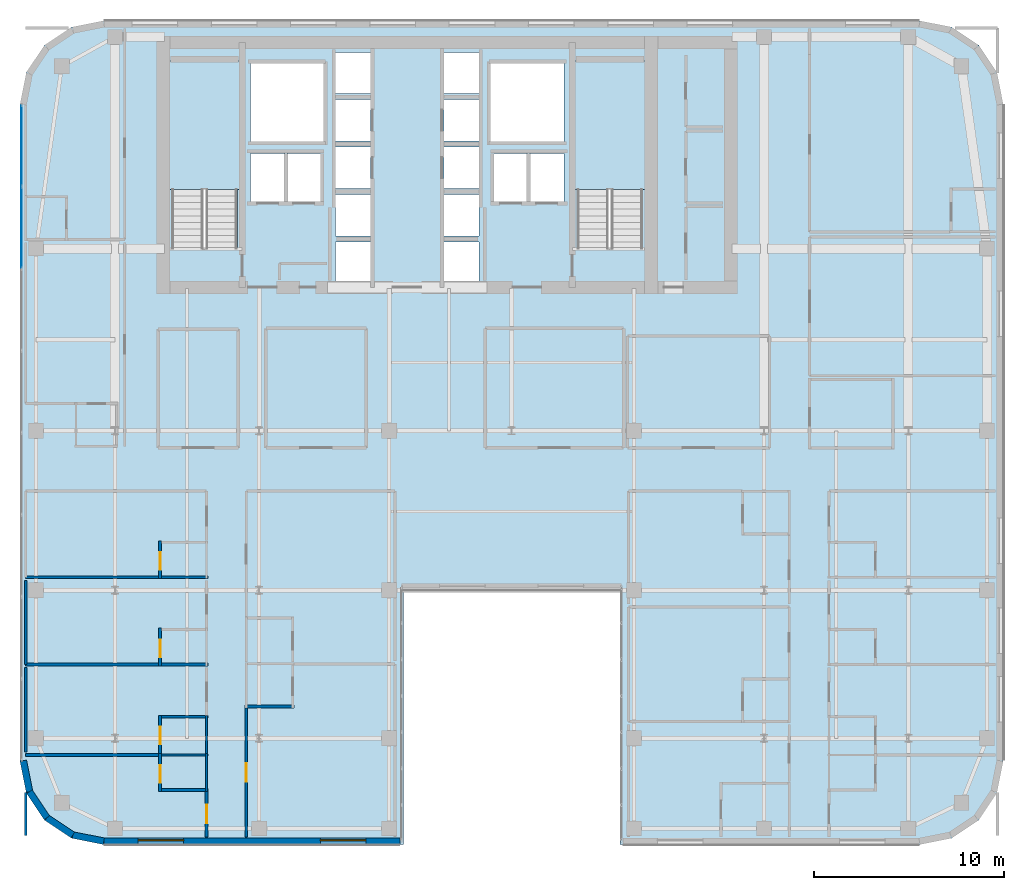
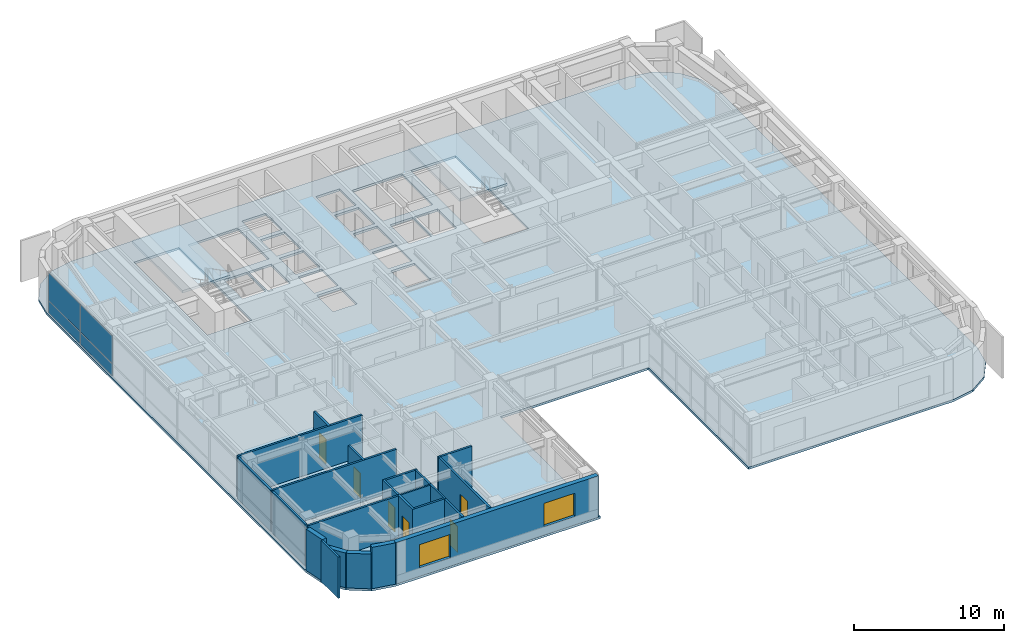
# One storey, part 17 of 28: 23 walls, 6 doors, 4 plates, 3 slabs, 2 windows, 8 openings, 3 elements without a shape of their own.
"""IFC4 building model written with IfcOpenShell, lengths in metres."""

from ifc_helpers import new_model, si_unit, direction, frame, frame_2d, origin, origin_2d, place, context, subcontext, project, spatial, polyline, rectangle, outline, extrude, source, transform, mapped, material, layer, layer_set, type_object, type_shapes, element, fill, aggregate, save


model = new_model("IFC4")

# Units and contexts
model_context = context("Model", 3, precision=1e-05, world=origin(), true_north=direction((0.0, 1.0)))
body_context = subcontext(model_context, "Body", "Model", "MODEL_VIEW")
ifc_project = project(units=[si_unit("LENGTHUNIT", "METRE"), si_unit("AREAUNIT", "SQUARE_METRE"), si_unit("VOLUMEUNIT", "CUBIC_METRE"), si_unit("PLANEANGLEUNIT", "RADIAN"), si_unit("MASSUNIT", "GRAM", prefix="KILO")], contexts=[model_context])

# Site, building, storey
site_placement = place(None, origin())
site = spatial("IfcSite", under=ifc_project, at=site_placement, CompositionType="ELEMENT")
building_placement = place(site_placement, origin())
building = spatial("IfcBuilding", under=site, at=building_placement, Name="Tolvann Quenvar Hotel", CompositionType="ELEMENT")
storey_placement = place(building_placement, frame((0.0, 0.0, 154.14990234375)))
storey = spatial("IfcBuildingStorey", under=building, at=storey_placement, Name="L40", CompositionType="ELEMENT", Elevation=154.14990234375)

# Stair, slab
ifc_material_1 = material(Name="Concrete N40 (40 MPa)", Category="concrete")
stair_type = type_object("IfcStairType", Name="STAIR", PredefinedType="HALF_TURN_STAIR", material=ifc_material_1)
stair_1_placement = place(storey_placement, origin())
stair_1 = element("IfcStair", 1, at=stair_1_placement, inside=storey, type_object=stair_type, Name="L40 ST-C1", PredefinedType="HALF_TURN_STAIR")
ifc_layer_1 = layer(ifc_material_1, 0.199951171875)
ifc_layer_set_1 = layer_set([ifc_layer_1], Name="Concrete N40 (40 MPa)")
slab_type_1 = type_object("IfcSlabType", Name="SLAB_LANDING", PredefinedType="LANDING", material=ifc_layer_set_1)
slab_1_placement = place(storey_placement, frame((0.0, 0.0, 1.5751953125)))
slab_1 = element("IfcSlab", 2, at=slab_1_placement, type_object=slab_type_1, Name="ST-C1 landing 1", PredefinedType="LANDING", context=body_context, shape_type="SweptSolid", body=[
    extrude(outline(polyline([(14.179931640625, 37.10498046875), (14.179931640625, 43.8798828125), (10.469970703125, 43.8798828125), (10.469970703125, 37.10498046875), (14.179931640625, 37.10498046875)])), origin(), (0.0, 0.0, 1.0), 0.199951171875),
])
aggregate(stair_1, [slab_1])

stair_2_placement = place(storey_placement, origin())
stair_2 = element("IfcStair", 3, at=stair_2_placement, inside=storey, type_object=stair_type, Name="L40 ST-C2", PredefinedType="HALF_TURN_STAIR")
slab_2_placement = place(storey_placement, frame((0.0, 0.0, 1.5751953125)))
slab_2 = element("IfcSlab", 4, at=slab_2_placement, type_object=slab_type_1, Name="ST-C2 landing 1", PredefinedType="LANDING", context=body_context, shape_type="SweptSolid", body=[
    extrude(outline(polyline([(35.530029296875, 37.10498046875), (35.530029296875, 43.8798828125), (31.820068359375, 43.8798828125), (31.820068359375, 37.10498046875), (35.530029296875, 37.10498046875)])), origin(), (0.0, 0.0, 1.0), 0.199951171875),
])
aggregate(stair_2, [slab_2])

# Slab
ifc_layer_2 = layer(ifc_material_1, 0.179931640625)
ifc_layer_set_2 = layer_set([ifc_layer_2], Name="Concrete N40 (40 MPa)")
slab_type_2 = type_object("IfcSlabType", Name="SLAB_TWR_180", PredefinedType="FLOOR", material=ifc_layer_set_2)
slab_3_placement = place(storey_placement, frame((0.0, 0.0, -0.179931640625)))
element("IfcSlab", 5, at=slab_3_placement, inside=storey, type_object=slab_type_2, Name="Level L40 Structural Floor Slab", PredefinedType="FLOOR", context=body_context, shape_type="SweptSolid", body=[
    extrude(outline(polyline([(2.60009765625, 7.0), (2.934814453125, 5.316162109375), (3.888671875, 3.888671875), (5.316162109375, 2.934814453125), (7.0, 2.60009765625), (22.800048828125, 2.60009765625), (22.800048828125, 16.0), (34.199951171875, 16.0), (34.199951171875, 2.60009765625), (50.0, 2.60009765625), (51.683837890625, 2.934814453125), (53.111328125, 3.888671875), (54.065185546875, 5.316162109375), (54.39990234375, 7.0), (54.39990234375, 41.60009765625), (54.065185546875, 43.28369140625), (53.111328125, 44.711181640625), (51.683837890625, 45.6650390625), (50.0, 46.0), (7.0, 46.0), (5.316162109375, 45.6650390625), (3.888671875, 44.711181640625), (2.934814453125, 43.28369140625), (2.60009765625, 41.60009765625), (2.60009765625, 7.0)]), holes=[polyline([(31.949951171875, 34.02490234375), (31.949951171875, 43.800048828125), (35.39990234375, 43.800048828125), (35.39990234375, 34.02490234375), (31.949951171875, 34.02490234375)]), polyline([(29.449951171875, 39.02001953125), (31.25, 39.02001953125), (31.25, 36.47998046875), (29.449951171875, 36.47998046875), (29.449951171875, 39.02001953125)]), polyline([(31.25, 43.75), (31.25, 39.64990234375), (27.39990234375, 39.64990234375), (27.39990234375, 43.75), (31.25, 43.75)]), polyline([(27.574951171875, 39.02001953125), (29.324951171875, 39.02001953125), (29.324951171875, 36.47998046875), (27.574951171875, 36.47998046875), (27.574951171875, 39.02001953125)]), polyline([(26.77001953125, 44.340087890625), (26.77001953125, 42.159912109375), (24.929931640625, 42.159912109375), (24.929931640625, 44.340087890625), (26.77001953125, 44.340087890625)]), polyline([(24.929931640625, 41.840087890625), (26.77001953125, 41.840087890625), (26.77001953125, 39.659912109375), (24.929931640625, 39.659912109375), (24.929931640625, 41.840087890625)]), polyline([(24.929931640625, 39.340087890625), (26.77001953125, 39.340087890625), (26.77001953125, 37.159912109375), (24.929931640625, 37.159912109375), (24.929931640625, 39.340087890625)]), polyline([(24.929931640625, 36.840087890625), (26.77001953125, 36.840087890625), (26.77001953125, 34.659912109375), (24.929931640625, 34.659912109375), (24.929931640625, 36.840087890625)]), polyline([(24.929931640625, 34.340087890625), (26.77001953125, 34.340087890625), (26.77001953125, 32.159912109375), (24.929931640625, 32.159912109375), (24.929931640625, 34.340087890625)]), polyline([(21.070068359375, 44.340087890625), (21.070068359375, 42.159912109375), (19.22998046875, 42.159912109375), (19.22998046875, 44.340087890625), (21.070068359375, 44.340087890625)]), polyline([(19.22998046875, 41.840087890625), (21.070068359375, 41.840087890625), (21.070068359375, 39.659912109375), (19.22998046875, 39.659912109375), (19.22998046875, 41.840087890625)]), polyline([(19.22998046875, 39.340087890625), (21.070068359375, 39.340087890625), (21.070068359375, 37.159912109375), (19.22998046875, 37.159912109375), (19.22998046875, 39.340087890625)]), polyline([(19.22998046875, 36.840087890625), (21.070068359375, 36.840087890625), (21.070068359375, 34.659912109375), (19.22998046875, 34.659912109375), (19.22998046875, 36.840087890625)]), polyline([(19.22998046875, 34.340087890625), (21.070068359375, 34.340087890625), (21.070068359375, 32.159912109375), (19.22998046875, 32.159912109375), (19.22998046875, 34.340087890625)]), polyline([(18.60009765625, 43.75), (18.60009765625, 39.64990234375), (14.75, 39.64990234375), (14.75, 43.75), (18.60009765625, 43.75)]), polyline([(16.675048828125, 39.02001953125), (18.425048828125, 39.02001953125), (18.425048828125, 36.47998046875), (16.675048828125, 36.47998046875), (16.675048828125, 39.02001953125)]), polyline([(14.75, 39.02001953125), (16.550048828125, 39.02001953125), (16.550048828125, 36.47998046875), (14.75, 36.47998046875), (14.75, 39.02001953125)]), polyline([(10.60009765625, 34.02490234375), (10.60009765625, 43.800048828125), (14.050048828125, 43.800048828125), (14.050048828125, 34.02490234375), (10.60009765625, 34.02490234375)])]), origin(), (0.0, 0.0, 1.0), 0.179931640625),
])

# Curtain wall, plates
ifc_material_2 = material(Name="Thermally broken anodised architectural aluminium 6063-T6 and laminated low-E glass", Category="aluminium")
ifc_layer_3 = layer(ifc_material_2, 0.179931640625)
ifc_layer_set_3 = layer_set([ifc_layer_3], Name="Thermally broken anodised architectural aluminium 6063-T6 and laminated low-E glass")
curtain_wall_type = type_object("IfcCurtainWallType", Name="CW_SYS_BAND_04", PredefinedType="USERDEFINED", material=ifc_layer_set_3)
curtain_wall_placement = place(storey_placement, origin())
curtain_wall = element("IfcCurtainWall", 6, at=curtain_wall_placement, inside=storey, type_object=curtain_wall_type, Name="Curtain Wall CW-BAND-04 (CWR-L40-E23)", ObjectType="UNITISED CURTAIN WALL", PredefinedType="USERDEFINED")
ifc_material_3 = material(Name="Low-iron laminated double glazing with solar-control coating", Category="glass")
ifc_layer_4 = layer(ifc_material_3, 0.028076171875)
ifc_layer_set_4 = layer_set([ifc_layer_4], Name="Low-iron laminated double glazing with solar-control coating")
plate_type = type_object("IfcPlateType", Name="CW_PAN_VISION_28", PredefinedType="CURTAIN_PANEL", material=ifc_layer_set_4)
shared_shape_1 = source(origin(), body_context, "Body", "SweptSolid", [
    extrude(rectangle(XDim=4.2158203125, YDim=0.028076171875, at=origin_2d()), origin(), (0.0, 0.0, 1.0), 0.9599609375),
])
plate_1_placement = place(storey_placement, frame((2.68994140625, 39.405029296875, 0.06005859375), z_axis=(0.0, 0.0, 1.0), x_axis=(0.0, -1.0, 0.0)))
plate_1 = element("IfcPlate", 7, at=plate_1_placement, type_object=plate_type, Name="CW-BAND-04 panel 1.1", PredefinedType="CURTAIN_PANEL", context=body_context, shape_type="MappedRepresentation", body=[
    mapped(shared_shape_1, transform((0.0, 0.0, 0.0), x_axis=(1.0, 0.0, 0.0), y_axis=(0.0, 1.0, 0.0), z_axis=(0.0, 0.0, 1.0), scale=1.0)),
])
shared_shape_2 = source(origin(), body_context, "Body", "SweptSolid", [
    extrude(rectangle(XDim=4.2158203125, YDim=0.028076171875, at=origin_2d()), origin(), (0.0, 0.0, 1.0), 2.22998046875),
])
plate_2_placement = place(storey_placement, frame((2.68994140625, 39.405029296875, 1.080078125), z_axis=(0.0, 0.0, 1.0), x_axis=(0.0, -1.0, 0.0)))
plate_2 = element("IfcPlate", 8, at=plate_2_placement, type_object=plate_type, Name="CW-BAND-04 panel 1.2", PredefinedType="CURTAIN_PANEL", context=body_context, shape_type="MappedRepresentation", body=[
    mapped(shared_shape_2, transform((0.0, 0.0, 0.0), x_axis=(1.0, 0.0, 0.0), y_axis=(0.0, 1.0, 0.0), z_axis=(0.0, 0.0, 1.0), scale=1.0)),
])
shared_shape_3 = source(origin(), body_context, "Body", "SweptSolid", [
    extrude(rectangle(XDim=4.250732421875, YDim=0.028076171875, at=origin_2d()), origin(), (0.0, 0.0, 1.0), 0.9599609375),
])
plate_3_placement = place(storey_placement, frame((2.68994140625, 35.101806640625, 0.06005859375), z_axis=(0.0, 0.0, 1.0), x_axis=(0.0, -1.0, 0.0)))
plate_3 = element("IfcPlate", 9, at=plate_3_placement, type_object=plate_type, Name="CW-BAND-04 panel 2.1", PredefinedType="CURTAIN_PANEL", context=body_context, shape_type="MappedRepresentation", body=[
    mapped(shared_shape_3, transform((0.0, 0.0, 0.0), x_axis=(1.0, 0.0, 0.0), y_axis=(0.0, 1.0, 0.0), z_axis=(0.0, 0.0, 1.0), scale=1.0)),
])
shared_shape_4 = source(origin(), body_context, "Body", "SweptSolid", [
    extrude(rectangle(XDim=4.250732421875, YDim=0.028076171875, at=origin_2d()), origin(), (0.0, 0.0, 1.0), 2.22998046875),
])
type_shapes(plate_type, [shared_shape_1, shared_shape_2, shared_shape_3, shared_shape_4])
plate_4_placement = place(storey_placement, frame((2.68994140625, 35.101806640625, 1.080078125), z_axis=(0.0, 0.0, 1.0), x_axis=(0.0, -1.0, 0.0)))
plate_4 = element("IfcPlate", 10, at=plate_4_placement, type_object=plate_type, Name="CW-BAND-04 panel 2.2", PredefinedType="CURTAIN_PANEL", context=body_context, shape_type="MappedRepresentation", body=[
    mapped(shared_shape_4, transform((0.0, 0.0, 0.0), x_axis=(1.0, 0.0, 0.0), y_axis=(0.0, 1.0, 0.0), z_axis=(0.0, 0.0, 1.0), scale=1.0)),
])
aggregate(curtain_wall, [plate_1, plate_2, plate_3, plate_4])

# Walls
ifc_material_4 = material(Name="Kiln-fired red and buff architectural clay brickwork and terracotta masonry", Category="masonry")
ifc_layer_5 = layer(ifc_material_4, 0.35009765625)
ifc_layer_set_5 = layer_set([ifc_layer_5], Name="Kiln-fired red and buff architectural clay brickwork and terracotta masonry")
wall_type_1 = type_object("IfcWallType", Name="WALL_EXT_BRICK_350", PredefinedType="SOLIDWALL", material=ifc_layer_set_5)
for number, where, z_axis, x_axis, name in (
    (11, (3.099609375, 5.384521484375, 0.0), (0.0, 0.0, 1.0), (0.555623290322, -0.831434158098, 0.0), "Exterior Chicago Brick Wall L40-E01"),
    (12, (4.014892578125, 4.014892578125, 0.0), (0.0, 0.0, 1.0), (0.831434158098, -0.555623290322, 0.0), "Exterior Chicago Brick Wall L40-E02"),
):
    element("IfcWall", number, at=place(storey_placement, frame(where, z_axis=z_axis, x_axis=x_axis)), inside=storey, type_object=wall_type_1, Name=name, PredefinedType="SOLIDWALL", context=body_context, shape_type="SweptSolid", body=[
        extrude(rectangle(XDim=1.647216796875, YDim=0.35009765625, at=frame_2d((0.82373046875, 0.0))), origin(), (0.0, 0.0, 1.0), 2.83203125),
    ])
wall_1_placement = place(storey_placement, frame((5.384521484375, 3.099609375, 0.0), z_axis=(0.0, 0.0, 1.0), x_axis=(0.980788844421, -0.195072403631, 0.0)))
element("IfcWall", 13, at=wall_1_placement, inside=storey, type_object=wall_type_1, Name="Exterior Chicago Brick Wall L40-E03", PredefinedType="SOLIDWALL", context=body_context, shape_type="SweptSolid", body=[
    extrude(rectangle(XDim=1.66455078125, YDim=0.35009765625, at=frame_2d((0.832275390625, 0.0))), origin(), (0.0, 0.0, 1.0), 3.3701171875),
])

# Wall, openings, windows
wall_2_placement = place(storey_placement, frame((7.01708984375, 2.77490234375, 0.0), z_axis=(0.0, 0.0, 1.0), x_axis=(1.0, 0.0, 0.0)))
wall_2 = element("IfcWall", 14, at=wall_2_placement, inside=storey, type_object=wall_type_1, Name="Exterior Chicago Brick Wall L40-E04", PredefinedType="SOLIDWALL", context=body_context, shape_type="SweptSolid", body=[
    extrude(rectangle(XDim=15.60791015625, YDim=0.35009765625, at=frame_2d((7.803955078125, 0.0))), origin(), (0.0, 0.0, 1.0), 3.3701171875),
])
opening_1_placement = place(wall_2_placement, frame((1.801025390625, 0.0, 0.679931640625)))
opening_1 = element("IfcOpeningElement", 15, at=opening_1_placement, cuts=wall_2, Name="Opening W-01", PredefinedType="OPENING", context=body_context, shape_type="SweptSolid", body=[
    extrude(rectangle(XDim=2.39990234375, YDim=1.89990234375, at=frame_2d((1.199951171875, 0.949951171875))), frame((0.0, 0.18505859375, 0.0), z_axis=(0.0, -1.0, 0.0), x_axis=(1.0, 0.0, 0.0)), (0.0, 0.0, 1.0), 0.3701171875),
])
opening_2_placement = place(wall_2_placement, frame((11.406982421875, 0.0, 0.679931640625)))
opening_2 = element("IfcOpeningElement", 16, at=opening_2_placement, cuts=wall_2, Name="Opening W-01", PredefinedType="OPENING", context=body_context, shape_type="SweptSolid", body=[
    extrude(rectangle(XDim=2.39990234375, YDim=1.89990234375, at=frame_2d((1.199951171875, 0.949951171875))), frame((0.0, 0.18505859375, 0.0), z_axis=(0.0, -1.0, 0.0), x_axis=(1.0, 0.0, 0.0)), (0.0, 0.0, 1.0), 0.3701171875),
])
ifc_material_5 = material(Name="Thermally broken bronze-anodised aluminium frame with double low-E glazing", Category="aluminium")
window_type = type_object("IfcWindowType", Name="WIN_CHI_2400x2050", PartitioningType="TRIPLE_PANEL_HORIZONTAL", PredefinedType="WINDOW", material=ifc_material_5)
shared_shape_5 = source(origin(), body_context, "Body", "SweptSolid", [
    extrude(rectangle(XDim=2.39990234375, YDim=1.89990234375, at=frame_2d((1.199951171875, 0.949951171875))), frame((0.0, 0.090087890625, 0.0), z_axis=(0.0, -1.0, 0.0), x_axis=(1.0, 0.0, 0.0)), (0.0, 0.0, 1.0), 0.06005859375),
])
type_shapes(window_type, [shared_shape_5])
window_1_placement = place(opening_1_placement, origin())
window_1 = element("IfcWindow", 17, at=window_1_placement, inside=storey, type_object=window_type, Name="Chicago Window W-01 (EW-L40-E04-W01)", OverallHeight=1.89990234375, OverallWidth=2.39990234375, PartitioningType="TRIPLE_PANEL_HORIZONTAL", PredefinedType="WINDOW", context=body_context, shape_type="MappedRepresentation", body=[
    mapped(shared_shape_5, transform((0.0, 0.0, 0.0), x_axis=(1.0, 0.0, 0.0), y_axis=(0.0, 1.0, 0.0), z_axis=(0.0, 0.0, 1.0), scale=1.0)),
])
fill(opening_1, window_1)
window_2_placement = place(opening_2_placement, origin())
window_2 = element("IfcWindow", 18, at=window_2_placement, inside=storey, type_object=window_type, Name="Chicago Window W-01 (EW-L40-E04-W02)", OverallHeight=1.89990234375, OverallWidth=2.39990234375, PartitioningType="TRIPLE_PANEL_HORIZONTAL", PredefinedType="WINDOW", context=body_context, shape_type="MappedRepresentation", body=[
    mapped(shared_shape_5, transform((0.0, 0.0, 0.0), x_axis=(1.0, 0.0, 0.0), y_axis=(0.0, 1.0, 0.0), z_axis=(0.0, 0.0, 1.0), scale=1.0)),
])
fill(opening_2, window_2)

# Walls
wall_3_placement = place(storey_placement, frame((2.77490234375, 7.01708984375, 0.0), z_axis=(0.0, 0.0, 1.0), x_axis=(0.195072403631, -0.980788844421, 0.0)))
element("IfcWall", 19, at=wall_3_placement, inside=storey, type_object=wall_type_1, Name="Exterior Chicago Brick Wall L40-E24", PredefinedType="SOLIDWALL", context=body_context, shape_type="SweptSolid", body=[
    extrude(rectangle(XDim=1.66455078125, YDim=0.35009765625, at=frame_2d((0.832275390625, 0.0))), origin(), (0.0, 0.0, 1.0), 3.3701171875),
])
ifc_material_6 = material(Name="Moisture-resistant acoustic plumbing wall assembly")
ifc_layer_6 = layer(ifc_material_6, 0.1201171875)
ifc_layer_set_6 = layer_set([ifc_layer_6], Name="Moisture-resistant acoustic plumbing wall assembly")
wall_type_2 = type_object("IfcWallType", Name="WALL_PART_BATH_120", PredefinedType="PLUMBINGWALL", material=ifc_layer_set_6)
wall_4_placement = place(storey_placement, frame((9.909912109375, 7.320068359375, 0.0), z_axis=(0.0, 0.0, 1.0), x_axis=(1.0, 0.0, 0.0)))
element("IfcWall", 20, at=wall_4_placement, inside=storey, type_object=wall_type_2, Name="Non-Rated Plumbing Partition PT-SPC-L40-ENS-WO01-N", PredefinedType="PLUMBINGWALL", context=body_context, shape_type="SweptSolid", body=[
    extrude(rectangle(XDim=2.590087890625, YDim=0.1201171875, at=frame_2d((1.294921875, 0.0))), origin(), (0.0, 0.0, 1.0), 3.3701171875),
])
for number, where, z_axis, x_axis, name in (
    (21, (12.429931640625, 5.39990234375, 0.0), (0.0, 0.0, 1.0), (0.0, 1.0, 0.0), "Non-Rated Plumbing Partition PT-SPC-L40-ENS-WO01-E"),
    (22, (12.429931640625, 7.409912109375, 0.0), (0.0, 0.0, 1.0), (0.0, 1.0, 0.0), "Non-Rated Plumbing Partition PT-SPC-L40-ENS-WO02-E"),
):
    element("IfcWall", number, at=place(storey_placement, frame(where, z_axis=z_axis, x_axis=x_axis)), inside=storey, type_object=wall_type_2, Name=name, PredefinedType="PLUMBINGWALL", context=body_context, shape_type="SweptSolid", body=[
        extrude(rectangle(XDim=1.989990234375, YDim=0.1201171875, at=frame_2d((0.9951171875, 0.0))), origin(), (0.0, 0.0, 1.0), 3.3701171875),
    ])

# Wall, opening, door
ifc_material_7 = material(Name="Acoustic twin-stud fire-rated gypsum plasterboard partition")
ifc_layer_7 = layer(ifc_material_7, 0.14990234375)
ifc_layer_set_7 = layer_set([ifc_layer_7], Name="Acoustic twin-stud fire-rated gypsum plasterboard partition")
wall_type_3 = type_object("IfcWallType", Name="WALL_PART_SUITE_150", PredefinedType="PARTITIONING", material=ifc_layer_set_7)
wall_5_placement = place(storey_placement, frame((9.97998046875, 5.39990234375, 0.0), z_axis=(0.0, 0.0, 1.0), x_axis=(0.0, 1.0, 0.0)))
wall_5 = element("IfcWall", 23, at=wall_5_placement, inside=storey, type_object=wall_type_3, Name="Interior Partition PT-SPC-L40-ENS-WO01-ENT", PredefinedType="PARTITIONING", context=body_context, shape_type="SweptSolid", body=[
    extrude(rectangle(XDim=1.989990234375, YDim=0.14990234375, at=frame_2d((0.9951171875, 0.0))), origin(), (0.0, 0.0, 1.0), 3.3701171875),
])
opening_3_placement = place(wall_5_placement, frame((0.465087890625, 0.0, 0.0)))
opening_3 = element("IfcOpeningElement", 24, at=opening_3_placement, cuts=wall_5, Name="Opening WD-01", PredefinedType="OPENING", context=body_context, shape_type="SweptSolid", body=[
    extrude(rectangle(XDim=0.919921875, YDim=2.010009765625, at=frame_2d((0.4599609375, 1.0048828125))), frame((0.0, 0.0849609375, 0.0), z_axis=(0.0, -1.0, 0.0), x_axis=(1.0, 0.0, 0.0)), (0.0, 0.0, 1.0), 0.169921875),
])
ifc_material_8 = material(Name="Solid-core American oak acoustic fire door leaf in steel frame", Category="steel")
door_type_1 = type_object("IfcDoorType", Name="DOOR_WC_920", OperationType="NOTDEFINED", PredefinedType="DOOR", material=ifc_material_8)
shared_shape_6 = source(origin(), body_context, "Body", "SweptSolid", [
    extrude(rectangle(XDim=0.919921875, YDim=2.010009765625, at=frame_2d((0.4599609375, 1.0048828125))), frame((0.0, 0.02490234375, 0.0), z_axis=(0.0, -1.0, 0.0), x_axis=(1.0, 0.0, 0.0)), (0.0, 0.0, 1.0), 0.050048828125),
])
type_shapes(door_type_1, [shared_shape_6])
door_1_placement = place(opening_3_placement, origin())
door_1 = element("IfcDoor", 25, at=door_1_placement, inside=storey, type_object=door_type_1, Name="Interior Door DOOR-SPC-L40-ENS-WO01", OperationType="SINGLE_SWING_LEFT", OverallHeight=2.010009765625, OverallWidth=0.919921875, PredefinedType="DOOR", context=body_context, shape_type="MappedRepresentation", body=[
    mapped(shared_shape_6, transform((0.0, 0.0, 0.0), x_axis=(1.0, 0.0, 0.0), y_axis=(0.0, 1.0, 0.0), z_axis=(0.0, 0.0, 1.0), scale=1.0)),
])
fill(opening_3, door_1)

# Wall
wall_6_placement = place(storey_placement, frame((9.909912109375, 5.469970703125, 0.0), z_axis=(0.0, 0.0, 1.0), x_axis=(1.0, 0.0, 0.0)))
element("IfcWall", 26, at=wall_6_placement, inside=storey, type_object=wall_type_3, Name="Interior Partition PT-SPC-L40-ENS-WO01-S", PredefinedType="PARTITIONING", context=body_context, shape_type="SweptSolid", body=[
    extrude(rectangle(XDim=2.590087890625, YDim=0.14990234375, at=frame_2d((1.294921875, 0.0))), origin(), (0.0, 0.0, 1.0), 3.3701171875),
])

# Wall, opening, door
wall_7_placement = place(storey_placement, frame((9.97998046875, 7.409912109375, 0.0), z_axis=(0.0, 0.0, 1.0), x_axis=(0.0, 1.0, 0.0)))
wall_7 = element("IfcWall", 27, at=wall_7_placement, inside=storey, type_object=wall_type_3, Name="Interior Partition PT-SPC-L40-ENS-WO02-ENT", PredefinedType="PARTITIONING", context=body_context, shape_type="SweptSolid", body=[
    extrude(rectangle(XDim=1.989990234375, YDim=0.14990234375, at=frame_2d((0.9951171875, 0.0))), origin(), (0.0, 0.0, 1.0), 3.3701171875),
])
opening_4_placement = place(wall_7_placement, frame((0.465087890625, 0.0, 0.0)))
opening_4 = element("IfcOpeningElement", 28, at=opening_4_placement, cuts=wall_7, Name="Opening WD-01", PredefinedType="OPENING", context=body_context, shape_type="SweptSolid", body=[
    extrude(rectangle(XDim=0.919921875, YDim=2.010009765625, at=frame_2d((0.4599609375, 1.0048828125))), frame((0.0, 0.0849609375, 0.0), z_axis=(0.0, -1.0, 0.0), x_axis=(1.0, 0.0, 0.0)), (0.0, 0.0, 1.0), 0.169921875),
])
door_2_placement = place(opening_4_placement, origin())
door_2 = element("IfcDoor", 29, at=door_2_placement, inside=storey, type_object=door_type_1, Name="Interior Door DOOR-SPC-L40-ENS-WO02", OperationType="SINGLE_SWING_RIGHT", OverallHeight=2.010009765625, OverallWidth=0.919921875, PredefinedType="DOOR", context=body_context, shape_type="MappedRepresentation", body=[
    mapped(shared_shape_6, transform((0.0, 0.0, 0.0), x_axis=(1.0, 0.0, 0.0), y_axis=(0.0, 1.0, 0.0), z_axis=(0.0, 0.0, 1.0), scale=1.0)),
])
fill(opening_4, door_2)

# Wall
wall_8_placement = place(storey_placement, frame((9.909912109375, 9.330078125, 0.0), z_axis=(0.0, 0.0, 1.0), x_axis=(1.0, 0.0, 0.0)))
element("IfcWall", 30, at=wall_8_placement, inside=storey, type_object=wall_type_3, Name="Interior Partition PT-SPC-L40-ENS-WO02-N", PredefinedType="PARTITIONING", context=body_context, shape_type="SweptSolid", body=[
    extrude(rectangle(XDim=2.590087890625, YDim=0.14990234375, at=frame_2d((1.294921875, 0.0))), origin(), (0.0, 0.0, 1.0), 3.3701171875),
])

# Wall, opening, door
wall_9_placement = place(storey_placement, frame((9.97998046875, 12.010009765625, 0.0), z_axis=(0.0, 0.0, 1.0), x_axis=(0.0, 1.0, 0.0)))
wall_9 = element("IfcWall", 31, at=wall_9_placement, inside=storey, type_object=wall_type_3, Name="Interior Partition PT-SPC-L40-ENS-WO03-ENT", PredefinedType="PARTITIONING", context=body_context, shape_type="SweptSolid", body=[
    extrude(rectangle(XDim=1.989990234375, YDim=0.14990234375, at=frame_2d((0.9951171875, 0.0))), origin(), (0.0, 0.0, 1.0), 3.3701171875),
])
opening_5_placement = place(wall_9_placement, frame((0.465087890625, 0.0, 0.0)))
opening_5 = element("IfcOpeningElement", 32, at=opening_5_placement, cuts=wall_9, Name="Opening WD-01", PredefinedType="OPENING", context=body_context, shape_type="SweptSolid", body=[
    extrude(rectangle(XDim=0.919921875, YDim=2.010009765625, at=frame_2d((0.4599609375, 1.0048828125))), frame((0.0, 0.0849609375, 0.0), z_axis=(0.0, -1.0, 0.0), x_axis=(1.0, 0.0, 0.0)), (0.0, 0.0, 1.0), 0.169921875),
])
door_3_placement = place(opening_5_placement, origin())
door_3 = element("IfcDoor", 33, at=door_3_placement, inside=storey, type_object=door_type_1, Name="Interior Door DOOR-SPC-L40-ENS-WO03", OperationType="SINGLE_SWING_LEFT", OverallHeight=2.010009765625, OverallWidth=0.919921875, PredefinedType="DOOR", context=body_context, shape_type="MappedRepresentation", body=[
    mapped(shared_shape_6, transform((0.0, 0.0, 0.0), x_axis=(1.0, 0.0, 0.0), y_axis=(0.0, 1.0, 0.0), z_axis=(0.0, 0.0, 1.0), scale=1.0)),
])
fill(opening_5, door_3)

# Wall
wall_10_placement = place(storey_placement, frame((2.89990234375, 12.080078125, 0.0), z_axis=(0.0, 0.0, 1.0), x_axis=(1.0, 0.0, 0.0)))
element("IfcWall", 34, at=wall_10_placement, inside=storey, type_object=wall_type_3, Name="Interior Partition PT-SPC-L40-ENS-WO03-S", PredefinedType="PARTITIONING", context=body_context, shape_type="SweptSolid", body=[
    extrude(rectangle(XDim=9.60009765625, YDim=0.14990234375, at=frame_2d((4.800048828125, 0.0))), origin(), (0.0, 0.0, 1.0), 3.3701171875),
])

# Wall, opening, door
wall_11_placement = place(storey_placement, frame((9.97998046875, 16.610107421875, 0.0), z_axis=(0.0, 0.0, 1.0), x_axis=(0.0, 1.0, 0.0)))
wall_11 = element("IfcWall", 35, at=wall_11_placement, inside=storey, type_object=wall_type_3, Name="Interior Partition PT-SPC-L40-ENS-WO04-ENT", PredefinedType="PARTITIONING", context=body_context, shape_type="SweptSolid", body=[
    extrude(rectangle(XDim=1.989990234375, YDim=0.14990234375, at=frame_2d((0.9951171875, 0.0))), origin(), (0.0, 0.0, 1.0), 3.3701171875),
])
opening_6_placement = place(wall_11_placement, frame((0.465087890625, 0.0, 0.0)))
opening_6 = element("IfcOpeningElement", 36, at=opening_6_placement, cuts=wall_11, Name="Opening WD-01", PredefinedType="OPENING", context=body_context, shape_type="SweptSolid", body=[
    extrude(rectangle(XDim=0.919921875, YDim=2.010009765625, at=frame_2d((0.4599609375, 1.0048828125))), frame((0.0, 0.0849609375, 0.0), z_axis=(0.0, -1.0, 0.0), x_axis=(1.0, 0.0, 0.0)), (0.0, 0.0, 1.0), 0.169921875),
])
door_4_placement = place(opening_6_placement, origin())
door_4 = element("IfcDoor", 37, at=door_4_placement, inside=storey, type_object=door_type_1, Name="Interior Door DOOR-SPC-L40-ENS-WO04", OperationType="SINGLE_SWING_RIGHT", OverallHeight=2.010009765625, OverallWidth=0.919921875, PredefinedType="DOOR", context=body_context, shape_type="MappedRepresentation", body=[
    mapped(shared_shape_6, transform((0.0, 0.0, 0.0), x_axis=(1.0, 0.0, 0.0), y_axis=(0.0, 1.0, 0.0), z_axis=(0.0, 0.0, 1.0), scale=1.0)),
])
fill(opening_6, door_4)

# Walls
wall_12_placement = place(storey_placement, frame((2.89990234375, 16.679931640625, 0.0), z_axis=(0.0, 0.0, 1.0), x_axis=(1.0, 0.0, 0.0)))
element("IfcWall", 38, at=wall_12_placement, inside=storey, type_object=wall_type_3, Name="Interior Partition PT-SPC-L40-ENS-WO04-S", PredefinedType="PARTITIONING", context=body_context, shape_type="SweptSolid", body=[
    extrude(rectangle(XDim=9.60009765625, YDim=0.14990234375, at=frame_2d((4.800048828125, 0.0))), origin(), (0.0, 0.0, 1.0), 3.3701171875),
])
wall_13_placement = place(storey_placement, frame((14.449951171875, 9.8701171875, 0.0), z_axis=(0.0, 0.0, 1.0), x_axis=(1.0, 0.0, 0.0)))
element("IfcWall", 39, at=wall_13_placement, inside=storey, type_object=wall_type_3, Name="Interior Partition PT-SPC-L40-ENS-WI01-S", PredefinedType="PARTITIONING", context=body_context, shape_type="SweptSolid", body=[
    extrude(rectangle(XDim=2.590087890625, YDim=0.14990234375, at=frame_2d((1.294921875, 0.0))), origin(), (0.0, 0.0, 1.0), 3.3701171875),
])

# Wall, opening, door
wall_14_placement = place(storey_placement, frame((12.429931640625, 3.0048828125, 0.0), z_axis=(0.0, 0.0, 1.0), x_axis=(0.0, 1.0, 0.0)))
wall_14 = element("IfcWall", 40, at=wall_14_placement, inside=storey, type_object=wall_type_3, Name="Interior Partition PT-SPC-L40-RM-WO01-ENT", PredefinedType="PARTITIONING", context=body_context, shape_type="SweptSolid", body=[
    extrude(rectangle(XDim=2.385009765625, YDim=0.14990234375, at=frame_2d((1.1923828125, 0.0))), origin(), (0.0, 0.0, 1.0), 3.3701171875),
])
opening_7_placement = place(wall_14_placement, frame((0.7099609375, 0.0, 0.0)))
opening_7 = element("IfcOpeningElement", 41, at=opening_7_placement, cuts=wall_14, Name="Opening SD-01", PredefinedType="OPENING", context=body_context, shape_type="SweptSolid", body=[
    extrude(rectangle(XDim=0.97998046875, YDim=2.1201171875, at=frame_2d((0.489990234375, 1.06005859375))), frame((0.0, 0.0849609375, 0.0), z_axis=(0.0, -1.0, 0.0), x_axis=(1.0, 0.0, 0.0)), (0.0, 0.0, 1.0), 0.169921875),
])
door_type_2 = type_object("IfcDoorType", Name="DOOR_SUITE_980", OperationType="NOTDEFINED", PredefinedType="DOOR", material=ifc_material_8)
shared_shape_7 = source(origin(), body_context, "Body", "SweptSolid", [
    extrude(rectangle(XDim=0.97998046875, YDim=2.1201171875, at=frame_2d((0.489990234375, 1.06005859375))), frame((0.0, 0.02490234375, 0.0), z_axis=(0.0, -1.0, 0.0), x_axis=(1.0, 0.0, 0.0)), (0.0, 0.0, 1.0), 0.050048828125),
])
type_shapes(door_type_2, [shared_shape_7])
door_5_placement = place(opening_7_placement, origin())
door_5 = element("IfcDoor", 42, at=door_5_placement, inside=storey, type_object=door_type_2, Name="Interior Door DOOR-SPC-L40-RM-WO01", OperationType="SINGLE_SWING_RIGHT", OverallHeight=2.1201171875, OverallWidth=0.97998046875, PredefinedType="DOOR", context=body_context, shape_type="MappedRepresentation", body=[
    mapped(shared_shape_7, transform((0.0, 0.0, 0.0), x_axis=(1.0, 0.0, 0.0), y_axis=(0.0, 1.0, 0.0), z_axis=(0.0, 0.0, 1.0), scale=1.0)),
])
fill(opening_7, door_5)

# Walls
wall_15_placement = place(storey_placement, frame((2.89990234375, 7.320068359375, 0.0), z_axis=(0.0, 0.0, 1.0), x_axis=(1.0, 0.0, 0.0)))
element("IfcWall", 43, at=wall_15_placement, inside=storey, type_object=wall_type_3, Name="Interior Partition PT-SPC-L40-RM-WO01-E5", PredefinedType="PARTITIONING", context=body_context, shape_type="SweptSolid", body=[
    extrude(rectangle(XDim=7.06005859375, YDim=0.14990234375, at=frame_2d((3.530029296875, 0.0))), origin(), (0.0, 0.0, 1.0), 3.3701171875),
])
wall_16_placement = place(storey_placement, frame((2.89990234375, 3.080078125, 0.0), z_axis=(0.0, 0.0, 1.0), x_axis=(0.0, 1.0, 0.0)))
element("IfcWall", 44, at=wall_16_placement, inside=storey, type_object=wall_type_3, Name="Interior Partition PT-SPC-L40-RM-WO01-E6", PredefinedType="PARTITIONING", context=body_context, shape_type="SweptSolid", body=[
    extrude(rectangle(XDim=2.264892578125, YDim=0.14990234375, at=frame_2d((1.13232421875, 0.0))), origin(), (0.0, 0.0, 1.0), 3.3701171875),
])
for number, where, z_axis, x_axis, name in (
    (45, (2.89990234375, 7.47998046875, 0.0), (0.0, 0.0, 1.0), (0.0, 1.0, 0.0), "Interior Partition PT-SPC-L40-RM-WO02-E6"),
    (46, (2.89990234375, 12.080078125, 0.0), (0.0, 0.0, 1.0), (0.0, 1.0, 0.0), "Interior Partition PT-SPC-L40-RM-WO03-E6"),
):
    element("IfcWall", number, at=place(storey_placement, frame(where, z_axis=z_axis, x_axis=x_axis)), inside=storey, type_object=wall_type_3, Name=name, PredefinedType="PARTITIONING", context=body_context, shape_type="SweptSolid", body=[
        extrude(rectangle(XDim=4.43994140625, YDim=0.14990234375, at=frame_2d((2.219970703125, 0.0))), origin(), (0.0, 0.0, 1.0), 3.3701171875),
    ])

# Wall, opening, door
wall_17_placement = place(storey_placement, frame((14.52001953125, 3.0048828125, 0.0), z_axis=(0.0, 0.0, 1.0), x_axis=(0.0, 1.0, 0.0)))
wall_17 = element("IfcWall", 47, at=wall_17_placement, inside=storey, type_object=wall_type_3, Name="Interior Partition PT-SPC-L40-RM-WI01-ENT", PredefinedType="PARTITIONING", context=body_context, shape_type="SweptSolid", body=[
    extrude(rectangle(XDim=6.78515625, YDim=0.14990234375, at=frame_2d((3.392578125, 0.0))), origin(), (0.0, 0.0, 1.0), 3.3701171875),
])
opening_8_placement = place(wall_17_placement, frame((2.909912109375, 0.0, 0.0)))
opening_8 = element("IfcOpeningElement", 48, at=opening_8_placement, cuts=wall_17, Name="Opening SD-01", PredefinedType="OPENING", context=body_context, shape_type="SweptSolid", body=[
    extrude(rectangle(XDim=0.97998046875, YDim=2.1201171875, at=frame_2d((0.489990234375, 1.06005859375))), frame((0.0, 0.0849609375, 0.0), z_axis=(0.0, -1.0, 0.0), x_axis=(1.0, 0.0, 0.0)), (0.0, 0.0, 1.0), 0.169921875),
])
door_6_placement = place(opening_8_placement, origin())
door_6 = element("IfcDoor", 49, at=door_6_placement, inside=storey, type_object=door_type_2, Name="Interior Door DOOR-SPC-L40-RM-WI01", OperationType="SINGLE_SWING_RIGHT", OverallHeight=2.1201171875, OverallWidth=0.97998046875, PredefinedType="DOOR", context=body_context, shape_type="MappedRepresentation", body=[
    mapped(shared_shape_7, transform((0.0, 0.0, 0.0), x_axis=(1.0, 0.0, 0.0), y_axis=(0.0, 1.0, 0.0), z_axis=(0.0, 0.0, 1.0), scale=1.0)),
])
fill(opening_8, door_6)

save(model, "model.ifc")
